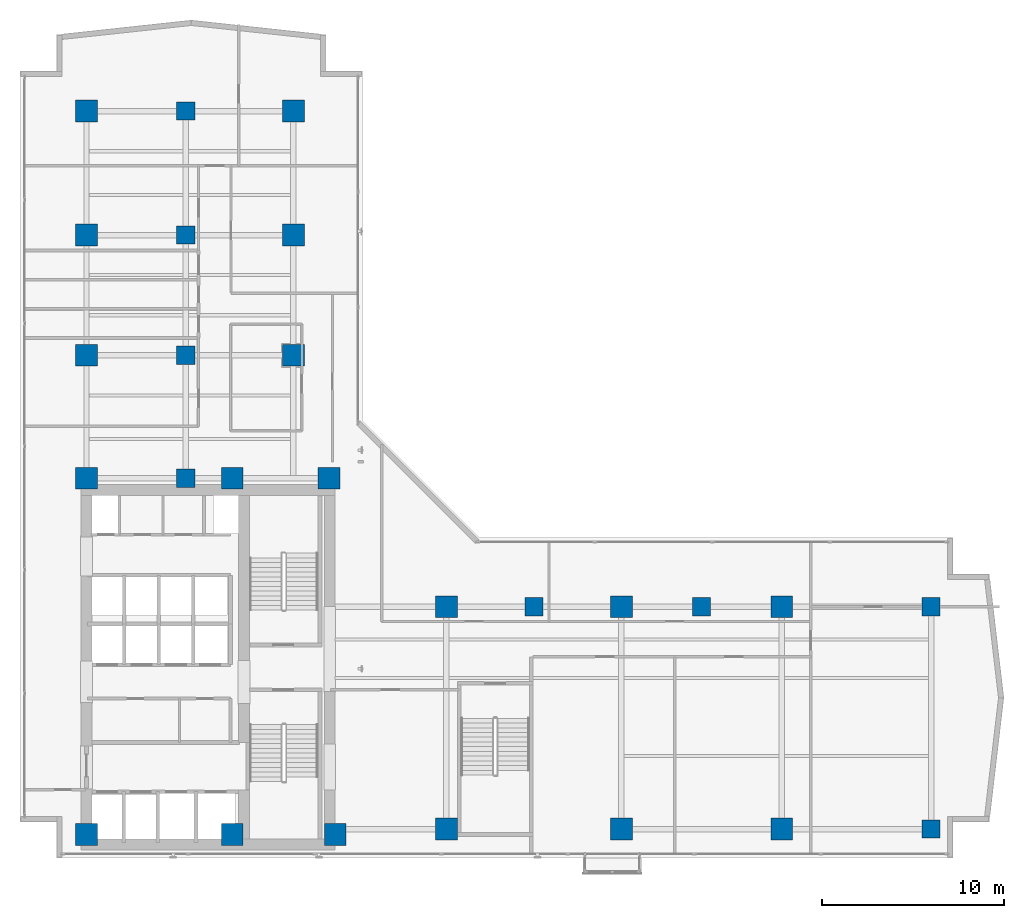
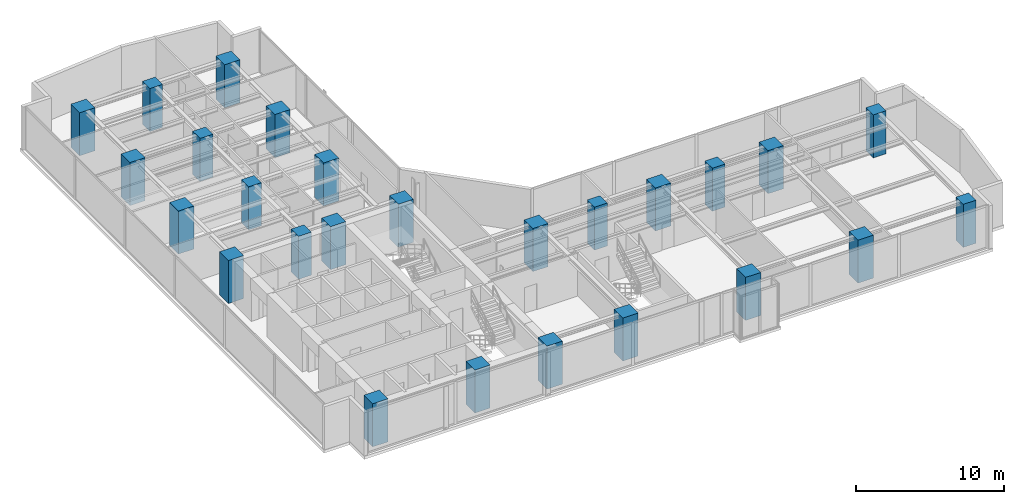
# One storey, part 1 of 27: 26 columns.
"""IFC4 building model written with IfcOpenShell, lengths in metres."""

from ifc_helpers import new_model, si_unit, direction, frame, origin, origin_2d, place, context, subcontext, project, spatial, rectangle, extrude, material, material_profile, profile_set, type_object, element, save


model = new_model("IFC4")

# Units and contexts
model_context = context("Model", 3, precision=1e-05, world=origin(), true_north=direction((0.0, 1.0)))
body_context = subcontext(model_context, "Body", "Model", "MODEL_VIEW")
ifc_project = project(units=[si_unit("LENGTHUNIT", "METRE"), si_unit("AREAUNIT", "SQUARE_METRE"), si_unit("VOLUMEUNIT", "CUBIC_METRE"), si_unit("PLANEANGLEUNIT", "RADIAN"), si_unit("MASSUNIT", "GRAM", prefix="KILO")], contexts=[model_context])

# Site, building, storey
site_placement = place(None, origin())
site = spatial("IfcSite", under=ifc_project, at=site_placement, CompositionType="ELEMENT")
building_placement = place(site_placement, origin())
building = spatial("IfcBuilding", under=site, at=building_placement, Name="Kolvaren Waterfront Exchange", CompositionType="ELEMENT")
storey_placement = place(building_placement, frame((0.0, 0.0, 191.800048828125)))
storey = spatial("IfcBuildingStorey", under=building, at=storey_placement, Name="L49", CompositionType="ELEMENT", Elevation=191.800048828125)

# Columns
ifc_material = material(Name="Concrete C60/75", Category="concrete")
ifc_material_profile_1 = material_profile(ifc_material, rectangle(XDim=1.0, YDim=1.0, at=origin_2d()), Name="RC-COL-1000x1000")
ifc_profile_set_1 = profile_set([ifc_material_profile_1], Name="Concrete C60/75")
column_type_1 = type_object("IfcColumnType", Name="STR-COL-1000-C60", PredefinedType="COLUMN", material=ifc_profile_set_1)
for number, where, z_axis, x_axis, name in (
    (1, (53.800048828125, 5.199951171875, 0.0), (0.0, 0.0, 1.0), (1.0, 0.0, 0.0), "L49 column ZC01"),
    (2, (53.800048828125, 17.39990234375, 0.0), (0.0, 0.0, 1.0), (1.0, 0.0, 0.0), "L49 column ZC02"),
    (3, (12.89990234375, 24.449951171875, 0.0), (0.0, 0.0, 1.0), (1.0, 0.0, 0.0), "L49 column TC01"),
    (4, (12.89990234375, 31.199951171875, 0.0), (0.0, 0.0, 1.0), (1.0, 0.0, 0.0), "L49 column TC02"),
    (5, (12.89990234375, 37.800048828125, 0.0), (0.0, 0.0, 1.0), (1.0, 0.0, 0.0), "L49 column TC03"),
    (6, (12.89990234375, 44.60009765625, 0.0), (0.0, 0.0, 1.0), (1.0, 0.0, 0.0), "L49 column TC04"),
    (7, (32.0, 17.39990234375, 0.0), (0.0, 0.0, 1.0), (1.0, 0.0, 0.0), "L49 column TC05"),
    (8, (41.199951171875, 17.39990234375, 0.0), (0.0, 0.0, 1.0), (1.0, 0.0, 0.0), "L49 column TC06"),
):
    element("IfcColumn", number, at=place(storey_placement, frame(where, z_axis=z_axis, x_axis=x_axis)), inside=storey, type_object=column_type_1, Name=name, PredefinedType="COLUMN", context=body_context, shape_type="SweptSolid", body=[
        extrude(rectangle(XDim=1.0, YDim=1.0, at=origin_2d()), origin(), (0.0, 0.0, 1.0), 3.56005859375),
    ])
ifc_material_profile_2 = material_profile(ifc_material, rectangle(XDim=1.199951171875, YDim=1.199951171875, at=origin_2d()), Name="RC-COL-1200x1200")
ifc_profile_set_2 = profile_set([ifc_material_profile_2], Name="Concrete C60/75")
column_type_2 = type_object("IfcColumnType", Name="STR-COL-1200-C60", PredefinedType="COLUMN", material=ifc_profile_set_2)
for number, where, z_axis, x_axis, name in (
    (9, (7.449951171875, 4.89990234375, 0.0), (0.0, 0.0, 1.0), (1.0, 0.0, 0.0), "L49 column MC01"),
    (10, (15.449951171875, 4.89990234375, 0.0), (0.0, 0.0, 1.0), (1.0, 0.0, 0.0), "L49 column MC02"),
    (11, (21.10009765625, 4.89990234375, 0.0), (0.0, 0.0, 1.0), (1.0, 0.0, 0.0), "L49 column MC03"),
    (12, (7.449951171875, 24.449951171875, 0.0), (0.0, 0.0, 1.0), (1.0, 0.0, 0.0), "L49 column MC04"),
    (13, (15.449951171875, 24.449951171875, 0.0), (0.0, 0.0, 1.0), (1.0, 0.0, 0.0), "L49 column MC05"),
    (14, (20.75, 24.449951171875, 0.0), (0.0, 0.0, 1.0), (1.0, 0.0, 0.0), "L49 column MC06"),
    (15, (7.449951171875, 31.199951171875, 0.0), (0.0, 0.0, 1.0), (1.0, 0.0, 0.0), "L49 column NC01"),
    (16, (7.449951171875, 37.800048828125, 0.0), (0.0, 0.0, 1.0), (1.0, 0.0, 0.0), "L49 column NC02"),
    (17, (7.449951171875, 44.60009765625, 0.0), (0.0, 0.0, 1.0), (1.0, 0.0, 0.0), "L49 column NC03"),
    (18, (18.800048828125, 31.199951171875, 0.0), (0.0, 0.0, 1.0), (1.0, 0.0, 0.0), "L49 column NC04"),
    (19, (18.800048828125, 37.800048828125, 0.0), (0.0, 0.0, 1.0), (1.0, 0.0, 0.0), "L49 column NC05"),
    (20, (18.800048828125, 44.60009765625, 0.0), (0.0, 0.0, 1.0), (1.0, 0.0, 0.0), "L49 column NC06"),
    (21, (27.199951171875, 5.199951171875, 0.0), (0.0, 0.0, 1.0), (1.0, 0.0, 0.0), "L49 column EC01"),
    (22, (36.800048828125, 5.199951171875, 0.0), (0.0, 0.0, 1.0), (1.0, 0.0, 0.0), "L49 column EC02"),
    (23, (45.60009765625, 5.199951171875, 0.0), (0.0, 0.0, 1.0), (1.0, 0.0, 0.0), "L49 column EC03"),
    (24, (27.199951171875, 17.39990234375, 0.0), (0.0, 0.0, 1.0), (1.0, 0.0, 0.0), "L49 column EC04"),
    (25, (36.800048828125, 17.39990234375, 0.0), (0.0, 0.0, 1.0), (1.0, 0.0, 0.0), "L49 column EC05"),
    (26, (45.60009765625, 17.39990234375, 0.0), (0.0, 0.0, 1.0), (1.0, 0.0, 0.0), "L49 column EC06"),
):
    element("IfcColumn", number, at=place(storey_placement, frame(where, z_axis=z_axis, x_axis=x_axis)), inside=storey, type_object=column_type_2, Name=name, PredefinedType="COLUMN", context=body_context, shape_type="SweptSolid", body=[
        extrude(rectangle(XDim=1.199951171875, YDim=1.199951171875, at=origin_2d()), origin(), (0.0, 0.0, 1.0), 3.56005859375),
    ])

save(model, "model.ifc")
